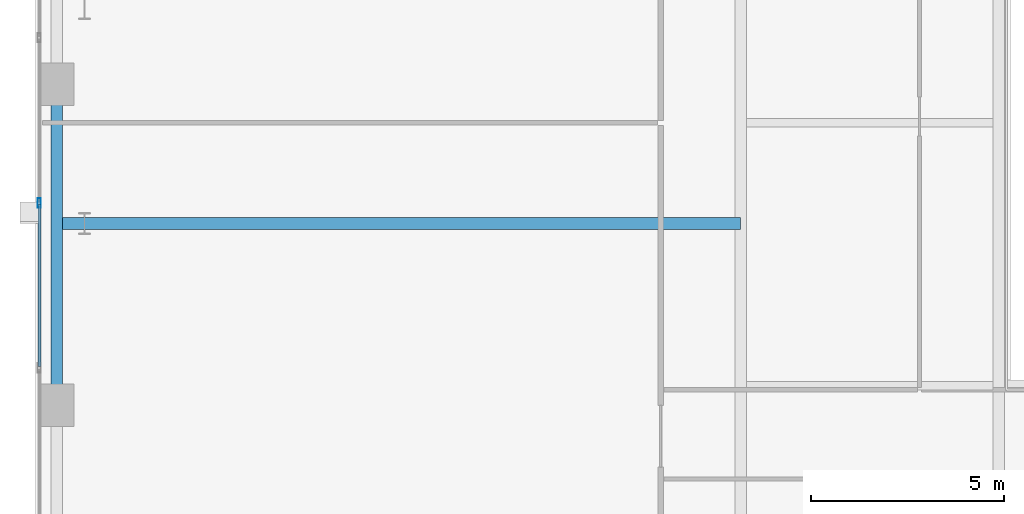
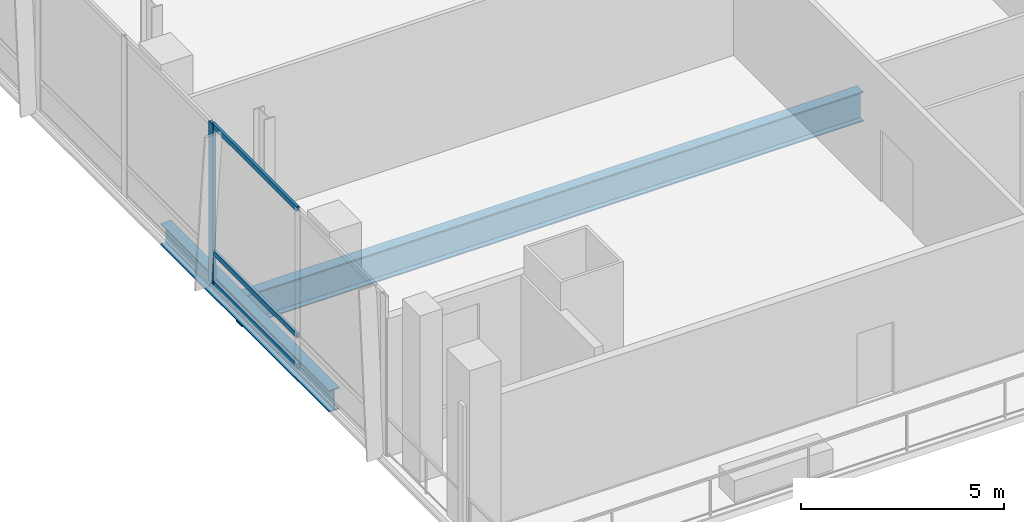
# One storey, part 6 of 26: 4 members, 2 beams, 1 element without a shape of its own.
"""IFC4 building model written with IfcOpenShell, lengths in metres."""

from ifc_helpers import new_model, si_unit, direction, frame, origin, origin_2d, place, context, subcontext, project, spatial, hollow_rectangle, i_section, extrude, material, material_profile, profile_set, type_object, element, aggregate, save


model = new_model("IFC4")

# Units and contexts
model_context = context("Model", 3, precision=1e-05, world=origin(), true_north=direction((0.0, 1.0)))
body_context = subcontext(model_context, "Body", "Model", "MODEL_VIEW")
ifc_project = project(units=[si_unit("LENGTHUNIT", "METRE"), si_unit("AREAUNIT", "SQUARE_METRE"), si_unit("VOLUMEUNIT", "CUBIC_METRE"), si_unit("PLANEANGLEUNIT", "RADIAN"), si_unit("MASSUNIT", "GRAM", prefix="KILO")], contexts=[model_context])

# Site, building, storey
site_placement = place(None, origin())
site = spatial("IfcSite", under=ifc_project, at=site_placement, CompositionType="ELEMENT")
building_placement = place(site_placement, origin())
building = spatial("IfcBuilding", under=site, at=building_placement, Name="Khoronbel Lancet Exchange", CompositionType="ELEMENT")
storey_placement = place(building_placement, frame((0.0, 0.0, 5.39990234375)))
storey = spatial("IfcBuildingStorey", under=building, at=storey_placement, Name="L01", CompositionType="ELEMENT", Elevation=5.39990234375)

# Beams
ifc_material_1 = material(Name="Steel S355", Category="steel")
ifc_material_profile_1 = material_profile(ifc_material_1, i_section(OverallWidth=0.300048828125, OverallDepth=0.89990234375, WebThickness=0.0185546875, FlangeThickness=0.034912109375, at=origin_2d()), Name="HEB 900")
ifc_profile_set_1 = profile_set([ifc_material_profile_1], Name="Steel S355")
beam_type_1 = type_object("IfcBeamType", Name="BM-BG1", PredefinedType="BEAM", material=ifc_profile_set_1)
beam_1_placement = place(storey_placement, frame((0.550048828125, 19.199951171875, -0.64990234375), z_axis=(1.0, 0.0, 0.0), x_axis=(0.0, 1.0, 0.0)))
element("IfcBeam", 1, at=beam_1_placement, inside=storey, type_object=beam_type_1, Name="Level L01 west lens tie girder LG1W", PredefinedType="BEAM", context=body_context, shape_type="SweptSolid", body=[
    extrude(i_section(OverallWidth=0.300048828125, OverallDepth=0.89990234375, WebThickness=0.0185546875, FlangeThickness=0.034912109375, at=origin_2d()), origin(), (0.0, 0.0, 1.0), 17.675048828125),
])
ifc_material_profile_2 = material_profile(ifc_material_1, i_section(OverallWidth=0.300048828125, OverallDepth=0.64990234375, WebThickness=0.01611328125, FlangeThickness=0.031005859375, at=origin_2d()), Name="HEB 650")
ifc_profile_set_2 = profile_set([ifc_material_profile_2], Name="Steel S355")
beam_type_2 = type_object("IfcBeamType", Name="BM-BSP1", PredefinedType="SPANDREL", material=ifc_profile_set_2)
beam_2_placement = place(storey_placement, frame((0.550048828125, 22.800048828125, -0.52490234375), z_axis=(0.0, -1.0, 0.0), x_axis=(1.0, 0.0, 0.0)))
element("IfcBeam", 2, at=beam_2_placement, inside=storey, type_object=beam_type_2, Name="Level L01 perimeter spandrel beam SP18", PredefinedType="SPANDREL", context=body_context, shape_type="SweptSolid", body=[
    extrude(i_section(OverallWidth=0.300048828125, OverallDepth=0.64990234375, WebThickness=0.01611328125, FlangeThickness=0.031005859375, at=origin_2d()), origin(), (0.0, 0.0, 1.0), 8.300048828125),
])

# Curtain wall, members
ifc_material_2 = material(Name="Low-E Solar Control Insulating Glass", Category="glass")
curtain_wall_type = type_object("IfcCurtainWallType", Name="CW-5", PredefinedType="NOTDEFINED", material=ifc_material_2)
curtain_wall_placement = place(storey_placement, origin())
curtain_wall = element("IfcCurtainWall", 3, at=curtain_wall_placement, inside=storey, type_object=curtain_wall_type, Name="Unitised curtain wall CW-L01-WEST", PredefinedType="NOTDEFINED")
ifc_material_3 = material(Name="Bronze-Anodised Aluminium 6063-T6", Category="aluminium")
ifc_material_profile_3 = material_profile(ifc_material_3, hollow_rectangle(XDim=0.0849609375, YDim=0.239990234375, WallThickness=0.006103515625, at=origin_2d()), Name="ALU MULLION 85x240")
ifc_profile_set_3 = profile_set([ifc_material_profile_3], Name="Bronze-Anodised Aluminium 6063-T6")
member_type_1 = type_object("IfcMemberType", Name="MEM-CWM1", PredefinedType="MULLION", material=ifc_profile_set_3)
member_1_placement = place(storey_placement, frame((0.10009765625, 19.7333984375, 0.0), z_axis=(0.0, 0.0, 1.0), x_axis=(1.0, 0.0, 0.0)))
member_1 = element("IfcMember", 4, at=member_1_placement, type_object=member_type_1, Name="CW5 mullion 8", PredefinedType="MULLION", context=body_context, shape_type="SweptSolid", body=[
    extrude(hollow_rectangle(XDim=0.0849609375, YDim=0.239990234375, WallThickness=0.006103515625, at=origin_2d()), origin(), (0.0, 0.0, 1.0), 4.800048828125),
])
ifc_material_profile_4 = material_profile(ifc_material_3, hollow_rectangle(XDim=0.074951171875, YDim=0.14990234375, WallThickness=0.00439453125, at=origin_2d()), Name="ALU TRANSOM 75x150")
ifc_profile_set_4 = profile_set([ifc_material_profile_4], Name="Bronze-Anodised Aluminium 6063-T6")
member_type_2 = type_object("IfcMemberType", Name="MEM-CWT2", PredefinedType="USERDEFINED", material=ifc_profile_set_4)
member_2_placement = place(storey_placement, frame((0.10009765625, 19.69091796875, 0.03759765625), z_axis=(0.0, -1.0, 0.0), x_axis=(1.0, 0.0, 0.0)))
member_2 = element("IfcMember", 5, at=member_2_placement, type_object=member_type_2, Name="CW5 transom 8.1", ObjectType="TRANSOM", PredefinedType="USERDEFINED", context=body_context, shape_type="SweptSolid", body=[
    extrude(hollow_rectangle(XDim=0.074951171875, YDim=0.14990234375, WallThickness=0.00439453125, at=origin_2d()), origin(), (0.0, 0.0, 1.0), 4.181640625),
])
member_3_placement = place(storey_placement, frame((0.10009765625, 19.69091796875, 0.9501953125), z_axis=(0.0, -1.0, 0.0), x_axis=(1.0, 0.0, 0.0)))
member_3 = element("IfcMember", 6, at=member_3_placement, type_object=member_type_2, Name="CW5 transom 8.2", ObjectType="TRANSOM", PredefinedType="USERDEFINED", context=body_context, shape_type="SweptSolid", body=[
    extrude(hollow_rectangle(XDim=0.074951171875, YDim=0.14990234375, WallThickness=0.00439453125, at=origin_2d()), origin(), (0.0, 0.0, 1.0), 4.181640625),
])
member_4_placement = place(storey_placement, frame((0.10009765625, 19.69091796875, 4.7626953125), z_axis=(0.0, -1.0, 0.0), x_axis=(1.0, 0.0, 0.0)))
member_4 = element("IfcMember", 7, at=member_4_placement, type_object=member_type_2, Name="CW5 transom 8.3", ObjectType="TRANSOM", PredefinedType="USERDEFINED", context=body_context, shape_type="SweptSolid", body=[
    extrude(hollow_rectangle(XDim=0.074951171875, YDim=0.14990234375, WallThickness=0.00439453125, at=origin_2d()), origin(), (0.0, 0.0, 1.0), 4.181640625),
])
aggregate(curtain_wall, [member_1, member_2, member_3, member_4])

save(model, "model.ifc")
